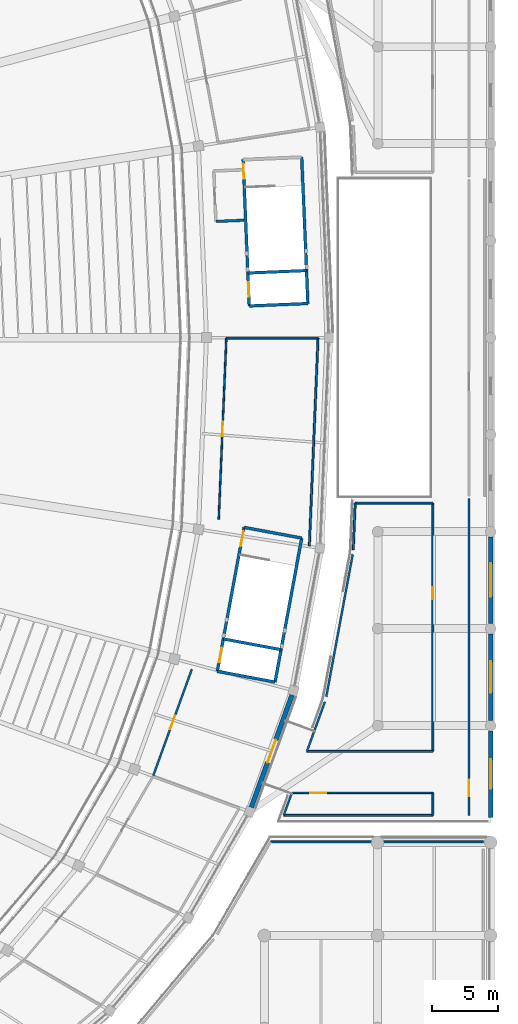
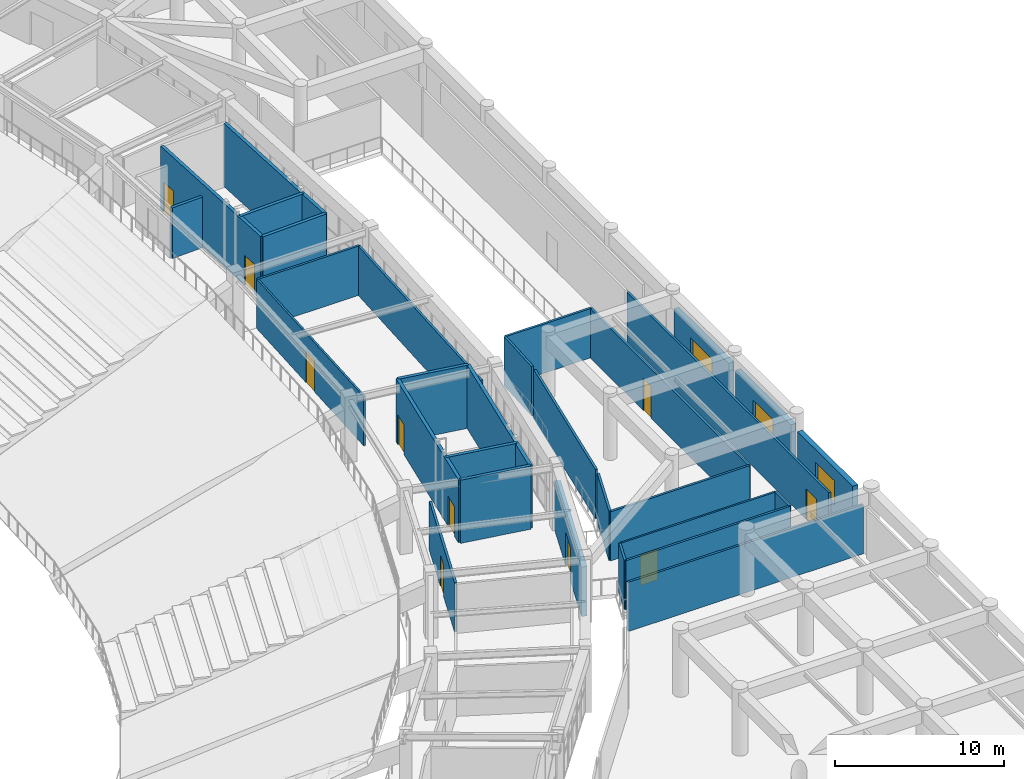
# One storey, part 99 of 137: 30 walls, 10 doors, 3 windows, 13 openings.
"""IFC4 building model written with IfcOpenShell, lengths in metres."""

import ifcopenshell
import ifcopenshell.guid

model = None  # the IFC model being written
_history = None  # IfcOwnerHistory: only IFC2X3 demands one
_inside = {}  # id of a spatial element -> (the spatial element, [elements in it])
_under = {}  # id of a project, library or spatial element -> (it, [spatial elements below it])
_declared = {}  # id of a project -> (the project, [libraries it declares])
_typed = {}  # id of a type object -> (the type object, [elements of that type])
_made_of = {}  # id of a material, layer set ... -> (it, [elements and type objects made of it])


def new_model(schema):
    """Start an empty IFC model of exactly this schema.

    Asked for "IFC4X3", IfcOpenShell would pick the latest addendum, in which some entities
    have other attributes; the version numbers below select the first issue.
    IFC2X3 requires an IfcOwnerHistory on every rooted entity: one is made here for all.
    """
    global model, _history
    if schema == "IFC4X3":
        model = ifcopenshell.file(schema_version=(4, 3, 0, 0))
    else:
        model = ifcopenshell.file(schema=schema)
    _inside.clear()
    _under.clear()
    _declared.clear()
    _typed.clear()
    _made_of.clear()
    _history = None
    if model.schema == "IFC2X3":
        org = make("IfcOrganization", Name="unknown")
        user = make(
            "IfcPersonAndOrganization",
            ThePerson=make("IfcPerson", FamilyName="unknown"),
            TheOrganization=org,
        )
        app = make(
            "IfcApplication",
            ApplicationDeveloper=org,
            Version="unknown",
            ApplicationFullName="unknown",
            ApplicationIdentifier="unknown",
        )
        _history = make(
            "IfcOwnerHistory",
            OwningUser=user,
            OwningApplication=app,
            ChangeAction="ADDED",
            CreationDate=0,
        )
    return model


def make(cls, **values):
    """One entity of the class cls with the attributes given. An attribute that is None is left unset."""
    return model.create_entity(
        cls, **{name: value for name, value in values.items() if value is not None}
    )


def rooted(cls, **values):
    """An entity with a GlobalId (a new one), such as an element, a storey or a relation."""
    return make(cls, GlobalId=ifcopenshell.guid.new(), OwnerHistory=_history, **values)


def si_unit(unit_type, name, prefix=None):
    """IfcSIUnit, for example si_unit("LENGTHUNIT", "METRE", prefix="MILLI")."""
    return make("IfcSIUnit", UnitType=unit_type, Prefix=prefix, Name=name)


def assignment(units):
    """IfcUnitAssignment: the units of a project."""
    return None if units is None else make("IfcUnitAssignment", Units=units)


def point(xyz):
    """IfcCartesianPoint."""
    return None if xyz is None else make("IfcCartesianPoint", Coordinates=xyz)


def direction(xyz):
    """IfcDirection."""
    return None if xyz is None else make("IfcDirection", DirectionRatios=xyz)


def frame(location, z_axis=None, x_axis=None):
    """IfcAxis2Placement3D, a coordinate frame: its origin and axes. An axis left out is left unset."""
    return make(
        "IfcAxis2Placement3D",
        Location=point(location),
        Axis=direction(z_axis),
        RefDirection=direction(x_axis),
    )


def frame_2d(location, x_axis=None):
    """IfcAxis2Placement2D, a coordinate frame in the plane: its origin and x axis."""
    return make(
        "IfcAxis2Placement2D", Location=point(location), RefDirection=direction(x_axis)
    )


def origin():
    """The frame at (0, 0, 0) with its axes left unset."""
    return frame((0.0, 0.0, 0.0))


def place(relative_to, where):
    """IfcLocalPlacement: puts the frame where relative to a parent placement (None: the world)."""
    return make(
        "IfcLocalPlacement", PlacementRelTo=relative_to, RelativePlacement=where
    )


def context(
    kind, dimensions, precision=None, world=None, true_north=None, identifier=None
):
    """IfcGeometricRepresentationContext, for example the 3D "Model" context."""
    return make(
        "IfcGeometricRepresentationContext",
        ContextIdentifier=identifier,
        ContextType=kind,
        CoordinateSpaceDimension=dimensions,
        Precision=precision,
        WorldCoordinateSystem=world,
        TrueNorth=true_north,
    )


def subcontext(parent, identifier, kind, view, scale=None):
    """IfcGeometricRepresentationSubContext, for example "Body" below "Model"."""
    return make(
        "IfcGeometricRepresentationSubContext",
        ContextIdentifier=identifier,
        ContextType=kind,
        ParentContext=parent,
        TargetScale=scale,
        TargetView=view,
    )


def project(units=None, contexts=None):
    """IfcProject with its units and contexts."""
    return rooted(
        "IfcProject",
        Name="project",
        RepresentationContexts=contexts,
        UnitsInContext=assignment(units),
    )


def spatial(cls, under=None, at=None, **own):
    """A site, building, storey or space (cls), placed at a placement, below another one or the project."""
    s = rooted(cls, ObjectPlacement=at, **own)
    if under is not None:
        _under.setdefault(under.id(), (under, []))[1].append(s)
    return s


def profile(cls, at=None, kind="AREA", **sizes):
    """A parametric profile (cls). Its sizes go by their IFC names, for example OverallWidth=200.0."""
    return make(cls, ProfileType=kind, Position=at, **sizes)


def rectangle(**sizes):
    """IfcRectangleProfileDef."""
    return profile("IfcRectangleProfileDef", **sizes)


def extrude(swept, where, along, depth):
    """IfcExtrudedAreaSolid: the profile swept, set in the frame where, extruded along a direction by depth."""
    return make(
        "IfcExtrudedAreaSolid",
        SweptArea=swept,
        Position=where,
        ExtrudedDirection=direction(along),
        Depth=depth,
    )


def shape(context_of_items, identifier, shape_type, items):
    """IfcShapeRepresentation: the items that make up one representation, for example the "Body"."""
    return make(
        "IfcShapeRepresentation",
        ContextOfItems=context_of_items,
        RepresentationIdentifier=identifier,
        RepresentationType=shape_type,
        Items=items,
    )


def material(Name=None, Category=None):
    """IfcMaterial."""
    return make("IfcMaterial", Name=Name, Category=Category)


def layer(
    of_material, thickness, ventilated=None, Name=None, Category=None, Priority=None
):
    """IfcMaterialLayer: one layer of a wall or slab, of a material (None: an air gap)."""
    return make(
        "IfcMaterialLayer",
        Material=of_material,
        LayerThickness=thickness,
        IsVentilated=ventilated,
        Name=Name,
        Category=Category,
        Priority=Priority,
    )


def layer_set(layers, Name=None):
    """IfcMaterialLayerSet."""
    return make("IfcMaterialLayerSet", MaterialLayers=layers, LayerSetName=Name)


def made_of(thing, what):
    """Note that an element or type object is made of a material, layer set ...; save() writes the relation."""
    if what is not None:
        _made_of.setdefault(what.id(), (what, []))[1].append(thing)
    return thing


def type_object(cls, material=None, **own):
    """A type object (cls), such as IfcWallType, which elements share."""
    return made_of(rooted(cls, **own), material)


def element(
    cls,
    number,
    at=None,
    inside=None,
    cuts=None,
    type_object=None,
    material=None,
    context=None,
    identifier="Body",
    shape_type=None,
    held_by="IfcProductDefinitionShape",
    body=None,
    shapes=None,
    **own,
):
    """One element of the class cls, such as IfcWall. Its Tag is "e" and its number.

    at: its placement. inside: the storey or other place that contains it. cuts: it is an
    opening in that element (IfcRelVoidsElement). A single representation is given by context,
    identifier, shape_type and body (its items); several are given by shapes. held_by: the class
    of the entity that holds the representations. save() writes the other relations.
    """
    e = rooted(cls, Tag="e%d" % number, ObjectPlacement=at, **own)
    if body is not None:
        shapes = [shape(context, identifier, shape_type, body)]
    if shapes is not None:
        e.Representation = make(held_by, Representations=shapes)
    if inside is not None:
        _inside.setdefault(inside.id(), (inside, []))[1].append(e)
    if cuts is not None:
        rooted(
            "IfcRelVoidsElement", RelatingBuildingElement=cuts, RelatedOpeningElement=e
        )
    if type_object is not None:
        _typed.setdefault(type_object.id(), (type_object, []))[1].append(e)
    return made_of(e, material)


def fill(opening, filler):
    """IfcRelFillsElement: the door or window that sits in an opening."""
    return rooted(
        "IfcRelFillsElement",
        RelatingOpeningElement=opening,
        RelatedBuildingElement=filler,
    )


def aggregate(whole, parts):
    """IfcRelAggregates: a whole, such as a stair, and the parts it consists of."""
    return rooted("IfcRelAggregates", RelatingObject=whole, RelatedObjects=parts)


def save(model, path):
    """Write the relations noted so far, then the file.

    IfcRelAggregates (storeys below a building ...), IfcRelContainedInSpatialStructure (elements
    in a storey), IfcRelDefinesByType, IfcRelAssociatesMaterial and IfcRelDeclares: one each for
    every whole, place, type object, material and project.
    """
    for whole, parts in _under.values():
        aggregate(whole, parts)
    for where, things in _inside.values():
        rooted(
            "IfcRelContainedInSpatialStructure",
            RelatedElements=things,
            RelatingStructure=where,
        )
    for kind, things in _typed.values():
        rooted("IfcRelDefinesByType", RelatedObjects=things, RelatingType=kind)
    for what, things in _made_of.values():
        rooted("IfcRelAssociatesMaterial", RelatedObjects=things, RelatingMaterial=what)
    for by, libraries in _declared.values():
        rooted("IfcRelDeclares", RelatingContext=by, RelatedDefinitions=libraries)
    model.write(path)


model = new_model("IFC4")

# Units and contexts
model_context = context("Model", 3, precision=1e-05, world=origin(), true_north=direction((0.0, 1.0)))
body_context = subcontext(model_context, "Body", "Model", "MODEL_VIEW")
ifc_project = project(units=[si_unit("LENGTHUNIT", "METRE"), si_unit("AREAUNIT", "SQUARE_METRE"), si_unit("VOLUMEUNIT", "CUBIC_METRE"), si_unit("PLANEANGLEUNIT", "RADIAN"), si_unit("MASSUNIT", "GRAM", prefix="KILO")], contexts=[model_context])

# Site, building, storey
site_placement = place(None, origin())
site = spatial("IfcSite", under=ifc_project, at=site_placement, CompositionType="ELEMENT")
building_placement = place(site_placement, origin())
building = spatial("IfcBuilding", under=site, at=building_placement, Name="Mphavela Belvedere Stadium", CompositionType="ELEMENT")
storey_placement = place(building_placement, frame((0.0, 0.0, 19.199951171875)))
storey = spatial("IfcBuildingStorey", under=building, at=storey_placement, Name="L04", CompositionType="ELEMENT", Elevation=19.199951171875)

# Walls
ifc_material_1 = material(Name="Concrete C40/50", Category="concrete")
ifc_layer_1 = layer(ifc_material_1, 0.219970703125)
ifc_layer_set_1 = layer_set([ifc_layer_1], Name="Concrete C40/50")
wall_type_1 = type_object("IfcWallType", Name="WAL-CORE-SHEAR-220", PredefinedType="SHEAR", material=ifc_layer_set_1)
wall_1_placement = place(storey_placement, frame((215.771728515625, 100.585205078125, 0.0), z_axis=(0.0, 0.0, 1.0), x_axis=(0.041871977473, -0.999122984173, 0.0)))
element("IfcWall", 1, at=wall_1_placement, inside=storey, type_object=wall_type_1, Name="Core C01 shear wall L04 rear", PredefinedType="SHEAR", context=body_context, shape_type="SweptSolid", body=[
    extrude(rectangle(XDim=11.02001953125, YDim=0.219970703125, at=frame_2d((5.510009765625, 0.0))), origin(), (0.0, 0.0, 1.0), 4.550048828125),
])
wall_2_placement = place(storey_placement, frame((211.826904296875, 89.39013671875, 0.0), z_axis=(0.0, 0.0, 1.0), x_axis=(0.999121521721, 0.041906859039, 0.0)))
element("IfcWall", 2, at=wall_2_placement, inside=storey, type_object=wall_type_1, Name="Core C01 shear wall L04 right", PredefinedType="SHEAR", context=body_context, shape_type="SweptSolid", body=[
    extrude(rectangle(XDim=4.41015625, YDim=0.219970703125, at=frame_2d((2.205078125, 0.0))), origin(), (0.0, 0.0, 1.0), 4.550048828125),
])

# Wall, openings, doors
wall_3_placement = place(storey_placement, frame((211.365478515625, 100.400390625, 0.0), z_axis=(0.0, 0.0, 1.0), x_axis=(0.041871977473, -0.999122984173, 0.0)))
wall_3 = element("IfcWall", 3, at=wall_3_placement, inside=storey, type_object=wall_type_1, Name="Core C01 shear wall L04 front", PredefinedType="SHEAR", context=body_context, shape_type="SweptSolid", body=[
    extrude(rectangle(XDim=11.02001953125, YDim=0.219970703125, at=frame_2d((5.510009765625, 0.0))), origin(), (0.0, 0.0, 1.0), 4.550048828125),
])
opening_1_placement = place(wall_3_placement, frame((0.300048828125, 0.0, 0.0)))
opening_1 = element("IfcOpeningElement", 4, at=opening_1_placement, cuts=wall_3, Name="Opening SD-005", PredefinedType="OPENING", context=body_context, shape_type="SweptSolid", body=[
    extrude(rectangle(XDim=1.14990234375, YDim=2.14990234375, at=frame_2d((0.574951171875, 1.074951171875))), frame((0.0, 0.1201171875, 0.0), z_axis=(0.0, -1.0, 0.0), x_axis=(1.0, 0.0, 0.0)), (0.0, 0.0, 1.0), 0.239990234375),
])
opening_2_placement = place(wall_3_placement, frame((9.22998046875, 0.0, 0.0)))
opening_2 = element("IfcOpeningElement", 5, at=opening_2_placement, cuts=wall_3, Name="Opening LD-005", PredefinedType="OPENING", context=body_context, shape_type="SweptSolid", body=[
    extrude(rectangle(XDim=1.10009765625, YDim=2.14990234375, at=frame_2d((0.550048828125, 1.074951171875))), frame((0.0, 0.1201171875, 0.0), z_axis=(0.0, -1.0, 0.0), x_axis=(1.0, 0.0, 0.0)), (0.0, 0.0, 1.0), 0.239990234375),
])
ifc_material_2 = material(Name="Stainless steel center-parting lift landing door", Category="steel")
door_type_1 = type_object("IfcDoorType", Name="DR-LIFT-SLIDE-1100", OperationType="NOTDEFINED", PredefinedType="DOOR", material=ifc_material_2)
door_1_placement = place(opening_2_placement, origin())
door_1 = element("IfcDoor", 6, at=door_1_placement, inside=storey, type_object=door_type_1, Name="Lift landing sliding door FL01 L04", OperationType="DOUBLE_DOOR_SLIDING", OverallHeight=2.14990234375, OverallWidth=1.10009765625, PredefinedType="DOOR", context=body_context, shape_type="SweptSolid", body=[
    extrude(rectangle(XDim=1.10009765625, YDim=2.14990234375, at=frame_2d((0.550048828125, 1.074951171875))), frame((0.0, 0.02490234375, 0.0), z_axis=(0.0, -1.0, 0.0), x_axis=(1.0, 0.0, 0.0)), (0.0, 0.0, 1.0), 0.050048828125),
])
fill(opening_2, door_1)
ifc_material_3 = material(Name="Steel acoustic fire-resisting stair doorset", Category="steel")
door_type_2 = type_object("IfcDoorType", Name="DR-STAIR-FIRE-1150", OperationType="NOTDEFINED", PredefinedType="DOOR", material=ifc_material_3)
door_2_placement = place(opening_1_placement, origin())
door_2 = element("IfcDoor", 7, at=door_2_placement, inside=storey, type_object=door_type_2, Name="Escape stair fire door C01 L04", OperationType="SINGLE_SWING_LEFT", OverallHeight=2.14990234375, OverallWidth=1.14990234375, PredefinedType="DOOR", context=body_context, shape_type="SweptSolid", body=[
    extrude(rectangle(XDim=1.14990234375, YDim=2.14990234375, at=frame_2d((0.574951171875, 1.074951171875))), frame((0.0, 0.02490234375, 0.0), z_axis=(0.0, -1.0, 0.0), x_axis=(1.0, 0.0, 0.0)), (0.0, 0.0, 1.0), 0.050048828125),
])
fill(opening_1, door_2)

# Walls
wall_4_placement = place(storey_placement, frame((211.72314453125, 91.867919921875, 0.0), z_axis=(0.0, 0.0, 1.0), x_axis=(0.999121521721, 0.041906859039, 0.0)))
element("IfcWall", 8, at=wall_4_placement, inside=storey, type_object=wall_type_1, Name="Core C01 shear wall L04 div", PredefinedType="SHEAR", context=body_context, shape_type="SweptSolid", body=[
    extrude(rectangle(XDim=4.41015625, YDim=0.219970703125, at=frame_2d((2.205078125, 0.0))), origin(), (0.0, 0.0, 1.0), 4.550048828125),
])
wall_5_placement = place(storey_placement, frame((215.771728515625, 71.914794921875, 0.0), z_axis=(0.0, 0.0, 1.0), x_axis=(-0.182574755222, -0.983191974517, 0.0)))
element("IfcWall", 9, at=wall_5_placement, inside=storey, type_object=wall_type_1, Name="Core C12 shear wall L04 rear", PredefinedType="SHEAR", context=body_context, shape_type="SweptSolid", body=[
    extrude(rectangle(XDim=11.02001953125, YDim=0.219970703125, at=frame_2d((5.510009765625, 0.0))), origin(), (0.0, 0.0, 1.0), 4.550048828125),
])
for number, where, z_axis, x_axis, name in (
    (10, (211.43603515625, 72.72021484375, 0.0), (0.0, 0.0, 1.0), (0.983179789985, -0.182640358532, 0.0), "Core C12 shear wall L04 left"),
    (11, (209.424072265625, 61.88525390625, 0.0), (0.0, 0.0, 1.0), (0.983189729951, -0.18258684213, 0.0), "Core C12 shear wall L04 right"),
):
    element("IfcWall", number, at=place(storey_placement, frame(where, z_axis=z_axis, x_axis=x_axis)), inside=storey, type_object=wall_type_1, Name=name, PredefinedType="SHEAR", context=body_context, shape_type="SweptSolid", body=[
        extrude(rectangle(XDim=4.409912109375, YDim=0.219970703125, at=frame_2d((2.205078125, 0.0))), origin(), (0.0, 0.0, 1.0), 4.550048828125),
    ])

# Wall, openings, doors
wall_6_placement = place(storey_placement, frame((211.43603515625, 72.72021484375, 0.0), z_axis=(0.0, 0.0, 1.0), x_axis=(-0.182570778451, -0.983192712979, 0.0)))
wall_6 = element("IfcWall", 12, at=wall_6_placement, inside=storey, type_object=wall_type_1, Name="Core C12 shear wall L04 front", PredefinedType="SHEAR", context=body_context, shape_type="SweptSolid", body=[
    extrude(rectangle(XDim=11.020263671875, YDim=0.219970703125, at=frame_2d((5.51025390625, 0.0))), origin(), (0.0, 0.0, 1.0), 4.550048828125),
])
opening_3_placement = place(wall_6_placement, frame((0.300048828125, 0.0, 0.0)))
opening_3 = element("IfcOpeningElement", 13, at=opening_3_placement, cuts=wall_6, Name="Opening SD-066", PredefinedType="OPENING", context=body_context, shape_type="SweptSolid", body=[
    extrude(rectangle(XDim=1.14990234375, YDim=2.14990234375, at=frame_2d((0.574951171875, 1.074951171875))), frame((0.0, 0.1201171875, 0.0), z_axis=(0.0, -1.0, 0.0), x_axis=(1.0, 0.0, 0.0)), (0.0, 0.0, 1.0), 0.239990234375),
])
opening_4_placement = place(wall_6_placement, frame((9.22998046875, 0.0, 0.0)))
opening_4 = element("IfcOpeningElement", 14, at=opening_4_placement, cuts=wall_6, Name="Opening LD-066", PredefinedType="OPENING", context=body_context, shape_type="SweptSolid", body=[
    extrude(rectangle(XDim=1.10009765625, YDim=2.14990234375, at=frame_2d((0.550048828125, 1.074951171875))), frame((0.0, 0.1201171875, 0.0), z_axis=(0.0, -1.0, 0.0), x_axis=(1.0, 0.0, 0.0)), (0.0, 0.0, 1.0), 0.239990234375),
])
door_3_placement = place(opening_4_placement, origin())
door_3 = element("IfcDoor", 15, at=door_3_placement, inside=storey, type_object=door_type_1, Name="Lift landing sliding door PL06 L04", OperationType="DOUBLE_DOOR_SLIDING", OverallHeight=2.14990234375, OverallWidth=1.10009765625, PredefinedType="DOOR", context=body_context, shape_type="SweptSolid", body=[
    extrude(rectangle(XDim=1.10009765625, YDim=2.14990234375, at=frame_2d((0.550048828125, 1.074951171875))), frame((0.0, 0.02490234375, 0.0), z_axis=(0.0, -1.0, 0.0), x_axis=(1.0, 0.0, 0.0)), (0.0, 0.0, 1.0), 0.050048828125),
])
fill(opening_4, door_3)
door_4_placement = place(opening_3_placement, origin())
door_4 = element("IfcDoor", 16, at=door_4_placement, inside=storey, type_object=door_type_2, Name="Escape stair fire door C12 L04", OperationType="SINGLE_SWING_RIGHT", OverallHeight=2.14990234375, OverallWidth=1.14990234375, PredefinedType="DOOR", context=body_context, shape_type="SweptSolid", body=[
    extrude(rectangle(XDim=1.14990234375, YDim=2.14990234375, at=frame_2d((0.574951171875, 1.074951171875))), frame((0.0, 0.02490234375, 0.0), z_axis=(0.0, -1.0, 0.0), x_axis=(1.0, 0.0, 0.0)), (0.0, 0.0, 1.0), 0.050048828125),
])
fill(opening_3, door_4)

# Wall
wall_7_placement = place(storey_placement, frame((209.876708984375, 64.323486328125, 0.0), z_axis=(0.0, 0.0, 1.0), x_axis=(0.983201511677, -0.182523388739, 0.0)))
element("IfcWall", 17, at=wall_7_placement, inside=storey, type_object=wall_type_1, Name="Core C12 shear wall L04 div", PredefinedType="SHEAR", context=body_context, shape_type="SweptSolid", body=[
    extrude(rectangle(XDim=4.409912109375, YDim=0.219970703125, at=frame_2d((2.205078125, 0.0))), origin(), (0.0, 0.0, 1.0), 4.550048828125),
])

# Wall, opening, door
ifc_material_4 = material(Name="Honed ashlar limestone masonry", Category="masonry")
ifc_layer_2 = layer(ifc_material_4, 0.35009765625)
ifc_layer_set_2 = layer_set([ifc_layer_2], Name="Honed ashlar limestone masonry")
wall_type_2 = type_object("IfcWallType", Name="WAL-EXT-ASHLAR-350", PredefinedType="STANDARD", material=ifc_layer_set_2)
wall_8_placement = place(storey_placement, frame((215.0458984375, 60.1103515625, 0.0), z_axis=(0.0, 0.0, 1.0), x_axis=(-0.341022457694, -0.9400551491, 0.0)))
wall_8 = element("IfcWall", 18, at=wall_8_placement, inside=storey, type_object=wall_type_2, Name="Classical link portal wall L04-46", PredefinedType="STANDARD", context=body_context, shape_type="SweptSolid", body=[
    extrude(rectangle(XDim=9.00537109375, YDim=0.35009765625, at=frame_2d((4.502685546875, 0.0))), origin(), (0.0, 0.0, 1.0), 3.570068359375),
])
opening_5_placement = place(wall_8_placement, frame((3.602783203125, 0.0, 0.0)))
opening_5 = element("IfcOpeningElement", 19, at=opening_5_placement, cuts=wall_8, Name="Opening ID-9445", PredefinedType="OPENING", context=body_context, shape_type="SweptSolid", body=[
    extrude(rectangle(XDim=1.800048828125, YDim=2.39990234375, at=frame_2d((0.89990234375, 1.199951171875))), frame((0.0, 0.18505859375, 0.0), z_axis=(0.0, -1.0, 0.0), x_axis=(1.0, 0.0, 0.0)), (0.0, 0.0, 1.0), 0.3701171875),
])
ifc_material_5 = material(Name="Glazed bronze-anodised steel exit doorset", Category="steel")
door_type_3 = type_object("IfcDoorType", Name="DR-EXT-01", OperationType="NOTDEFINED", PredefinedType="DOOR", material=ifc_material_5)
door_5_placement = place(opening_5_placement, origin())
door_5 = element("IfcDoor", 20, at=door_5_placement, inside=storey, type_object=door_type_3, Name="Wing promenade link doorset L04-46", OperationType="DOUBLE_DOOR_SINGLE_SWING", OverallHeight=2.39990234375, OverallWidth=1.800048828125, PredefinedType="DOOR", context=body_context, shape_type="SweptSolid", body=[
    extrude(rectangle(XDim=1.800048828125, YDim=2.39990234375, at=frame_2d((0.89990234375, 1.199951171875))), frame((0.0, 0.02490234375, 0.0), z_axis=(0.0, -1.0, 0.0), x_axis=(1.0, 0.0, 0.0)), (0.0, 0.0, 1.0), 0.050048828125),
])
fill(opening_5, door_5)

# Wall, opening, window
wall_9_placement = place(storey_placement, frame((230.0, 57.402099609375, 0.0), z_axis=(0.0, 0.0, 1.0), x_axis=(0.0, -1.0, 0.0)))
wall_9 = element("IfcWall", 21, at=wall_9_placement, inside=storey, type_object=wall_type_2, Name="East Planted Eaves Peristyle Colonnade outer facade bay L04-01", PredefinedType="STANDARD", context=body_context, shape_type="SweptSolid", body=[
    extrude(rectangle(XDim=6.504150390625, YDim=0.35009765625, at=frame_2d((3.251953125, 0.0))), origin(), (0.0, 0.0, 1.0), 3.56005859375),
])
opening_6_placement = place(wall_9_placement, frame((2.14208984375, 0.0, 0.89990234375)))
opening_6 = element("IfcOpeningElement", 22, at=opening_6_placement, cuts=wall_9, Name="Opening W-328", PredefinedType="OPENING", context=body_context, shape_type="SweptSolid", body=[
    extrude(rectangle(XDim=2.219970703125, YDim=1.75, at=frame_2d((1.10986328125, 0.875))), frame((0.0, 0.18505859375, 0.0), z_axis=(0.0, -1.0, 0.0), x_axis=(1.0, 0.0, 0.0)), (0.0, 0.0, 1.0), 0.3701171875),
])
ifc_material_6 = material(Name="Bronze-anodised thermally broken aluminium window", Category="aluminium")
window_type_1 = type_object("IfcWindowType", Name="WIN-EXT-20", PartitioningType="SINGLE_PANEL", PredefinedType="WINDOW", material=ifc_material_6)
window_1_placement = place(opening_6_placement, origin())
window_1 = element("IfcWindow", 23, at=window_1_placement, inside=storey, type_object=window_type_1, Name="East Planted Eaves Peristyle Colonnade classical window W-328", OverallHeight=1.75, OverallWidth=2.219970703125, PartitioningType="SINGLE_PANEL", PredefinedType="WINDOW", context=body_context, shape_type="SweptSolid", body=[
    extrude(rectangle(XDim=2.219970703125, YDim=1.75, at=frame_2d((1.10986328125, 0.875))), frame((0.0, 0.030029296875, 0.0), z_axis=(0.0, -1.0, 0.0), x_axis=(1.0, 0.0, 0.0)), (0.0, 0.0, 1.0), 0.06005859375),
])
fill(opening_6, window_1)

wall_10_placement = place(storey_placement, frame((230.0, 64.701904296875, 0.0), z_axis=(0.0, 0.0, 1.0), x_axis=(0.0, -1.0, 0.0)))
wall_10 = element("IfcWall", 24, at=wall_10_placement, inside=storey, type_object=wall_type_2, Name="East Planted Eaves Peristyle Colonnade outer facade bay L04-02", PredefinedType="STANDARD", context=body_context, shape_type="SweptSolid", body=[
    extrude(rectangle(XDim=6.50390625, YDim=0.35009765625, at=frame_2d((3.251953125, 0.0))), origin(), (0.0, 0.0, 1.0), 3.56005859375),
])
opening_7_placement = place(wall_10_placement, frame((2.072021484375, 0.0, 0.89990234375)))
opening_7 = element("IfcOpeningElement", 25, at=opening_7_placement, cuts=wall_10, Name="Opening W-329", PredefinedType="OPENING", context=body_context, shape_type="SweptSolid", body=[
    extrude(rectangle(XDim=2.360107421875, YDim=1.75, at=frame_2d((1.18017578125, 0.875))), frame((0.0, 0.18505859375, 0.0), z_axis=(0.0, -1.0, 0.0), x_axis=(1.0, 0.0, 0.0)), (0.0, 0.0, 1.0), 0.3701171875),
])
ifc_material_7 = material(Name="Bronze-anodised thermally broken aluminium window", Category="aluminium")
window_type_2 = type_object("IfcWindowType", Name="WIN-EXT-21", PartitioningType="SINGLE_PANEL", PredefinedType="WINDOW", material=ifc_material_7)
window_2_placement = place(opening_7_placement, origin())
window_2 = element("IfcWindow", 26, at=window_2_placement, inside=storey, type_object=window_type_2, Name="East Planted Eaves Peristyle Colonnade classical window W-329", OverallHeight=1.75, OverallWidth=2.360107421875, PartitioningType="SINGLE_PANEL", PredefinedType="WINDOW", context=body_context, shape_type="SweptSolid", body=[
    extrude(rectangle(XDim=2.360107421875, YDim=1.75, at=frame_2d((1.18017578125, 0.875))), frame((0.0, 0.030029296875, 0.0), z_axis=(0.0, -1.0, 0.0), x_axis=(1.0, 0.0, 0.0)), (0.0, 0.0, 1.0), 0.06005859375),
])
fill(opening_7, window_2)

wall_11_placement = place(storey_placement, frame((230.0, 72.001953125, 0.0), z_axis=(0.0, 0.0, 1.0), x_axis=(0.0, -1.0, 0.0)))
wall_11 = element("IfcWall", 27, at=wall_11_placement, inside=storey, type_object=wall_type_2, Name="East Planted Eaves Peristyle Colonnade outer facade bay L04-03", PredefinedType="STANDARD", context=body_context, shape_type="SweptSolid", body=[
    extrude(rectangle(XDim=6.50390625, YDim=0.35009765625, at=frame_2d((3.251953125, 0.0))), origin(), (0.0, 0.0, 1.0), 3.56005859375),
])
opening_8_placement = place(wall_11_placement, frame((1.991943359375, 0.0, 0.89990234375)))
opening_8 = element("IfcOpeningElement", 28, at=opening_8_placement, cuts=wall_11, Name="Opening W-330", PredefinedType="OPENING", context=body_context, shape_type="SweptSolid", body=[
    extrude(rectangle(XDim=2.52001953125, YDim=1.75, at=frame_2d((1.260009765625, 0.875))), frame((0.0, 0.18505859375, 0.0), z_axis=(0.0, -1.0, 0.0), x_axis=(1.0, 0.0, 0.0)), (0.0, 0.0, 1.0), 0.3701171875),
])
ifc_material_8 = material(Name="Bronze-anodised thermally broken aluminium window", Category="aluminium")
window_type_3 = type_object("IfcWindowType", Name="WIN-EXT-22", PartitioningType="SINGLE_PANEL", PredefinedType="WINDOW", material=ifc_material_8)
window_3_placement = place(opening_8_placement, origin())
window_3 = element("IfcWindow", 29, at=window_3_placement, inside=storey, type_object=window_type_3, Name="East Planted Eaves Peristyle Colonnade classical window W-330", OverallHeight=1.75, OverallWidth=2.52001953125, PartitioningType="SINGLE_PANEL", PredefinedType="WINDOW", context=body_context, shape_type="SweptSolid", body=[
    extrude(rectangle(XDim=2.52001953125, YDim=1.75, at=frame_2d((1.260009765625, 0.875))), frame((0.0, 0.030029296875, 0.0), z_axis=(0.0, -1.0, 0.0), x_axis=(1.0, 0.0, 0.0)), (0.0, 0.0, 1.0), 0.06005859375),
])
fill(opening_8, window_3)

# Wall, opening, door
ifc_material_9 = material(Name="Moisture-resistant sanitary partition assembly")
ifc_layer_3 = layer(ifc_material_9, 0.125)
ifc_layer_set_3 = layer_set([ifc_layer_3], Name="Moisture-resistant sanitary partition assembly")
wall_type_3 = type_object("IfcWallType", Name="WAL-PART-125", PredefinedType="PARTITIONING", material=ifc_layer_set_3)
wall_12_placement = place(storey_placement, frame((209.526123046875, 73.31884765625, 0.0), z_axis=(0.0, 0.0, 1.0), x_axis=(0.041914666558, 0.999121194214, 0.0)))
wall_12 = element("IfcWall", 30, at=wall_12_placement, inside=storey, type_object=wall_type_3, Name="Room L04-101 corridor partition", PredefinedType="PARTITIONING", context=body_context, shape_type="SweptSolid", body=[
    extrude(rectangle(XDim=13.653076171875, YDim=0.125, at=frame_2d((6.82666015625, 0.0))), origin(), (0.0, 0.0, 1.0), 3.550048828125),
])
opening_9_placement = place(wall_12_placement, frame((6.276611328125, 0.0, 0.0)))
opening_9 = element("IfcOpeningElement", 31, at=opening_9_placement, cuts=wall_12, Name="Opening ID-354", PredefinedType="OPENING", context=body_context, shape_type="SweptSolid", body=[
    extrude(rectangle(XDim=1.10009765625, YDim=2.300048828125, at=frame_2d((0.550048828125, 1.14990234375))), frame((0.0, 0.072509765625, 0.0), z_axis=(0.0, -1.0, 0.0), x_axis=(1.0, 0.0, 0.0)), (0.0, 0.0, 1.0), 0.14501953125),
])
ifc_material_10 = material(Name="Hardwood acoustic timber doorset", Category="wood")
door_type_4 = type_object("IfcDoorType", Name="DR-INT-30", OperationType="NOTDEFINED", PredefinedType="DOOR", material=ifc_material_10)
door_6_placement = place(opening_9_placement, origin())
door_6 = element("IfcDoor", 32, at=door_6_placement, inside=storey, type_object=door_type_4, Name="Room L04-101 entrance door ID-354", OperationType="SINGLE_SWING_RIGHT", OverallHeight=2.300048828125, OverallWidth=1.10009765625, PredefinedType="DOOR", context=body_context, shape_type="SweptSolid", body=[
    extrude(rectangle(XDim=1.10009765625, YDim=2.300048828125, at=frame_2d((0.550048828125, 1.14990234375))), frame((0.0, 0.02490234375, 0.0), z_axis=(0.0, -1.0, 0.0), x_axis=(1.0, 0.0, 0.0)), (0.0, 0.0, 1.0), 0.050048828125),
])
fill(opening_9, door_6)

wall_13_placement = place(storey_placement, frame((215.031494140625, 52.739990234375, 0.0), z_axis=(0.0, 0.0, 1.0), x_axis=(1.0, 0.0, 0.0)))
wall_13 = element("IfcWall", 33, at=wall_13_placement, inside=storey, type_object=wall_type_3, Name="Room L04-138 corridor partition", PredefinedType="PARTITIONING", context=body_context, shape_type="SweptSolid", body=[
    extrude(rectangle(XDim=10.6083984375, YDim=0.125, at=frame_2d((5.30419921875, 0.0))), origin(), (0.0, 0.0, 1.0), 3.550048828125),
])
opening_10_placement = place(wall_13_placement, frame((1.369873046875, 0.0, 0.0)))
opening_10 = element("IfcOpeningElement", 34, at=opening_10_placement, cuts=wall_13, Name="Opening ID-561", PredefinedType="OPENING", context=body_context, shape_type="SweptSolid", body=[
    extrude(rectangle(XDim=1.219970703125, YDim=2.199951171875, at=frame_2d((0.60986328125, 1.10009765625))), frame((0.0, 0.072509765625, 0.0), z_axis=(0.0, -1.0, 0.0), x_axis=(1.0, 0.0, 0.0)), (0.0, 0.0, 1.0), 0.14501953125),
])
ifc_material_11 = material(Name="Hardwood acoustic timber doorset", Category="wood")
door_type_5 = type_object("IfcDoorType", Name="DR-INT-21", OperationType="NOTDEFINED", PredefinedType="DOOR", material=ifc_material_11)
door_7_placement = place(opening_10_placement, origin())
door_7 = element("IfcDoor", 35, at=door_7_placement, inside=storey, type_object=door_type_5, Name="Room L04-138 entrance door ID-561", OperationType="SINGLE_SWING_LEFT", OverallHeight=2.199951171875, OverallWidth=1.219970703125, PredefinedType="DOOR", context=body_context, shape_type="SweptSolid", body=[
    extrude(rectangle(XDim=1.219970703125, YDim=2.199951171875, at=frame_2d((0.60986328125, 1.10009765625))), frame((0.0, 0.02490234375, 0.0), z_axis=(0.0, -1.0, 0.0), x_axis=(1.0, 0.0, 0.0)), (0.0, 0.0, 1.0), 0.050048828125),
])
fill(opening_10, door_7)

ifc_material_12 = material(Name="Acoustic gypsum stud partition assembly")
ifc_layer_4 = layer(ifc_material_12, 0.14990234375)
ifc_layer_set_4 = layer_set([ifc_layer_4], Name="Acoustic gypsum stud partition assembly")
wall_type_4 = type_object("IfcWallType", Name="WAL-PART-150", PredefinedType="PARTITIONING", material=ifc_layer_set_4)
wall_14_placement = place(storey_placement, frame((204.597412109375, 54.034423828125, 0.0), z_axis=(0.0, 0.0, 1.0), x_axis=(0.341016360618, 0.940057360905, 0.0)))
wall_14 = element("IfcWall", 36, at=wall_14_placement, inside=storey, type_object=wall_type_4, Name="Room L04-98 corridor partition", PredefinedType="PARTITIONING", context=body_context, shape_type="SweptSolid", body=[
    extrude(rectangle(XDim=8.525146484375, YDim=0.14990234375, at=frame_2d((4.2626953125, 0.0))), origin(), (0.0, 0.0, 1.0), 3.550048828125),
])
opening_11_placement = place(wall_14_placement, frame((3.732421875, 0.0, 0.0)))
opening_11 = element("IfcOpeningElement", 37, at=opening_11_placement, cuts=wall_14, Name="Opening ID-353", PredefinedType="OPENING", context=body_context, shape_type="SweptSolid", body=[
    extrude(rectangle(XDim=1.06005859375, YDim=2.300048828125, at=frame_2d((0.530029296875, 1.14990234375))), frame((0.0, 0.0849609375, 0.0), z_axis=(0.0, -1.0, 0.0), x_axis=(1.0, 0.0, 0.0)), (0.0, 0.0, 1.0), 0.169921875),
])
ifc_material_13 = material(Name="Hardwood acoustic timber doorset", Category="wood")
door_type_6 = type_object("IfcDoorType", Name="DR-INT-29", OperationType="NOTDEFINED", PredefinedType="DOOR", material=ifc_material_13)
door_8_placement = place(opening_11_placement, origin())
door_8 = element("IfcDoor", 38, at=door_8_placement, inside=storey, type_object=door_type_6, Name="Room L04-98 entrance door ID-353", OperationType="SINGLE_SWING_LEFT", OverallHeight=2.300048828125, OverallWidth=1.06005859375, PredefinedType="DOOR", context=body_context, shape_type="SweptSolid", body=[
    extrude(rectangle(XDim=1.06005859375, YDim=2.300048828125, at=frame_2d((0.530029296875, 1.14990234375))), frame((0.0, 0.02490234375, 0.0), z_axis=(0.0, -1.0, 0.0), x_axis=(1.0, 0.0, 0.0)), (0.0, 0.0, 1.0), 0.050048828125),
])
fill(opening_11, door_8)

wall_15_placement = place(storey_placement, frame((228.360107421875, 51.050048828125, 0.0), z_axis=(0.0, 0.0, 1.0), x_axis=(0.0, 1.0, 0.0)))
wall_15 = element("IfcWall", 39, at=wall_15_placement, inside=storey, type_object=wall_type_4, Name="Room L04-139 corridor partition", PredefinedType="PARTITIONING", context=body_context, shape_type="SweptSolid", body=[
    extrude(rectangle(XDim=23.833251953125, YDim=0.14990234375, at=frame_2d((11.91650390625, 0.0))), origin(), (0.0, 0.0, 1.0), 3.550048828125),
])
opening_12_placement = place(wall_15_placement, frame((1.416748046875, 0.0, 0.0)))
opening_12 = element("IfcOpeningElement", 40, at=opening_12_placement, cuts=wall_15, Name="Opening ID-562", PredefinedType="OPENING", context=body_context, shape_type="SweptSolid", body=[
    extrude(rectangle(XDim=1.260009765625, YDim=2.199951171875, at=frame_2d((0.6298828125, 1.10009765625))), frame((0.0, 0.0849609375, 0.0), z_axis=(0.0, -1.0, 0.0), x_axis=(1.0, 0.0, 0.0)), (0.0, 0.0, 1.0), 0.169921875),
])
ifc_material_14 = material(Name="Hardwood acoustic timber doorset", Category="wood")
door_type_7 = type_object("IfcDoorType", Name="DR-INT-22", OperationType="NOTDEFINED", PredefinedType="DOOR", material=ifc_material_14)
door_9_placement = place(opening_12_placement, origin())
door_9 = element("IfcDoor", 41, at=door_9_placement, inside=storey, type_object=door_type_7, Name="Room L04-139 entrance door ID-562", OperationType="SINGLE_SWING_RIGHT", OverallHeight=2.199951171875, OverallWidth=1.260009765625, PredefinedType="DOOR", context=body_context, shape_type="SweptSolid", body=[
    extrude(rectangle(XDim=1.260009765625, YDim=2.199951171875, at=frame_2d((0.6298828125, 1.10009765625))), frame((0.0, 0.02490234375, 0.0), z_axis=(0.0, -1.0, 0.0), x_axis=(1.0, 0.0, 0.0)), (0.0, 0.0, 1.0), 0.050048828125),
])
fill(opening_12, door_9)

wall_16_placement = place(storey_placement, frame((225.639892578125, 74.550048828125, 0.0), z_axis=(0.0, 0.0, 1.0), x_axis=(0.0, -1.0, 0.0)))
wall_16 = element("IfcWall", 42, at=wall_16_placement, inside=storey, type_object=wall_type_4, Name="Room L04-142 corridor partition", PredefinedType="PARTITIONING", context=body_context, shape_type="SweptSolid", body=[
    extrude(rectangle(XDim=18.68994140625, YDim=0.14990234375, at=frame_2d((9.344970703125, 0.0))), origin(), (0.0, 0.0, 1.0), 3.550048828125),
])
opening_13_placement = place(wall_16_placement, frame((6.322509765625, 0.0, 0.0)))
opening_13 = element("IfcOpeningElement", 43, at=opening_13_placement, cuts=wall_16, Name="Opening ID-565", PredefinedType="OPENING", context=body_context, shape_type="SweptSolid", body=[
    extrude(rectangle(XDim=0.89990234375, YDim=2.300048828125, at=frame_2d((0.449951171875, 1.14990234375))), frame((0.0, 0.0849609375, 0.0), z_axis=(0.0, -1.0, 0.0), x_axis=(1.0, 0.0, 0.0)), (0.0, 0.0, 1.0), 0.169921875),
])
ifc_material_15 = material(Name="Hardwood acoustic timber doorset", Category="wood")
door_type_8 = type_object("IfcDoorType", Name="DR-INT-25", OperationType="NOTDEFINED", PredefinedType="DOOR", material=ifc_material_15)
door_10_placement = place(opening_13_placement, origin())
door_10 = element("IfcDoor", 44, at=door_10_placement, inside=storey, type_object=door_type_8, Name="Room L04-142 entrance door ID-565", OperationType="SINGLE_SWING_LEFT", OverallHeight=2.300048828125, OverallWidth=0.89990234375, PredefinedType="DOOR", context=body_context, shape_type="SweptSolid", body=[
    extrude(rectangle(XDim=0.89990234375, YDim=2.300048828125, at=frame_2d((0.449951171875, 1.14990234375))), frame((0.0, 0.02490234375, 0.0), z_axis=(0.0, -1.0, 0.0), x_axis=(1.0, 0.0, 0.0)), (0.0, 0.0, 1.0), 0.050048828125),
])
fill(opening_13, door_10)

# Walls
wall_17_placement = place(storey_placement, frame((217.002197265625, 86.9599609375, 0.0), z_axis=(0.0, 0.0, 1.0), x_axis=(-0.041910160588, -0.999121383236, 0.0)))
element("IfcWall", 45, at=wall_17_placement, inside=storey, type_object=wall_type_4, Name="Room divider partition L04-0632", PredefinedType="PARTITIONING", context=body_context, shape_type="SweptSolid", body=[
    extrude(rectangle(XDim=15.652587890625, YDim=0.14990234375, at=frame_2d((7.826171875, 0.0))), origin(), (0.0, 0.0, 1.0), 3.550048828125),
])
wall_18_placement = place(storey_placement, frame((210.098388671875, 86.9599609375, 0.0), z_axis=(0.0, 0.0, 1.0), x_axis=(1.0, 0.0, 0.0)))
element("IfcWall", 46, at=wall_18_placement, inside=storey, type_object=wall_type_4, Name="Room divider partition L04-0633", PredefinedType="PARTITIONING", context=body_context, shape_type="SweptSolid", body=[
    extrude(rectangle(XDim=6.90380859375, YDim=0.14990234375, at=frame_2d((3.451904296875, 0.0))), origin(), (0.0, 0.0, 1.0), 3.550048828125),
])
wall_19_placement = place(storey_placement, frame((213.4326171875, 49.050048828125, 0.0), z_axis=(0.0, 0.0, 1.0), x_axis=(1.0, 0.0, 0.0)))
element("IfcWall", 47, at=wall_19_placement, inside=storey, type_object=wall_type_4, Name="Room divider partition L04-0864", PredefinedType="PARTITIONING", context=body_context, shape_type="SweptSolid", body=[
    extrude(rectangle(XDim=16.017333984375, YDim=0.14990234375, at=frame_2d((8.0087890625, 0.0))), origin(), (0.0, 0.0, 1.0), 3.550048828125),
])
wall_20_placement = place(storey_placement, frame((225.639892578125, 51.050048828125, 0.0), z_axis=(0.0, 0.0, 1.0), x_axis=(-1.0, 0.0, 0.0)))
element("IfcWall", 48, at=wall_20_placement, inside=storey, type_object=wall_type_4, Name="Room divider partition L04-1285", PredefinedType="PARTITIONING", context=body_context, shape_type="SweptSolid", body=[
    extrude(rectangle(XDim=11.221435546875, YDim=0.14990234375, at=frame_2d((5.61083984375, 0.0))), origin(), (0.0, 0.0, 1.0), 3.550048828125),
])
wall_21_placement = place(storey_placement, frame((214.41845703125, 51.050048828125, 0.0), z_axis=(0.0, 0.0, 1.0), x_axis=(0.341012375502, 0.940058806541, 0.0)))
element("IfcWall", 49, at=wall_21_placement, inside=storey, type_object=wall_type_4, Name="Room divider partition L04-1286", PredefinedType="PARTITIONING", context=body_context, shape_type="SweptSolid", body=[
    extrude(rectangle(XDim=1.797607421875, YDim=0.14990234375, at=frame_2d((0.89892578125, 0.0))), origin(), (0.0, 0.0, 1.0), 3.550048828125),
])
wall_22_placement = place(storey_placement, frame((225.639892578125, 52.739990234375, 0.0), z_axis=(0.0, 0.0, 1.0), x_axis=(0.0, -1.0, 0.0)))
element("IfcWall", 50, at=wall_22_placement, inside=storey, type_object=wall_type_4, Name="Room divider partition L04-1287", PredefinedType="PARTITIONING", context=body_context, shape_type="SweptSolid", body=[
    extrude(rectangle(XDim=1.68994140625, YDim=0.14990234375, at=frame_2d((0.844970703125, 0.0))), origin(), (0.0, 0.0, 1.0), 3.550048828125),
])
wall_23_placement = place(storey_placement, frame((217.62255859375, 59.98095703125, 0.0), z_axis=(0.0, 0.0, 1.0), x_axis=(0.182620957058, 0.983183393901, 0.0)))
element("IfcWall", 51, at=wall_23_placement, inside=storey, type_object=wall_type_4, Name="Room divider partition L04-1289", PredefinedType="PARTITIONING", context=body_context, shape_type="SweptSolid", body=[
    extrude(rectangle(XDim=10.90087890625, YDim=0.14990234375, at=frame_2d((5.450439453125, 0.0))), origin(), (0.0, 0.0, 1.0), 3.550048828125),
])
wall_24_placement = place(storey_placement, frame((219.6533203125, 71.05029296875, 0.0), z_axis=(0.0, 0.0, 1.0), x_axis=(0.041888559174, 0.999122289117, 0.0)))
element("IfcWall", 52, at=wall_24_placement, inside=storey, type_object=wall_type_4, Name="Room divider partition L04-1290", PredefinedType="PARTITIONING", context=body_context, shape_type="SweptSolid", body=[
    extrude(rectangle(XDim=3.5029296875, YDim=0.14990234375, at=frame_2d((1.75146484375, 0.0))), origin(), (0.0, 0.0, 1.0), 3.550048828125),
])
wall_25_placement = place(storey_placement, frame((219.800048828125, 74.550048828125, 0.0), z_axis=(0.0, 0.0, 1.0), x_axis=(1.0, 0.0, 0.0)))
element("IfcWall", 53, at=wall_25_placement, inside=storey, type_object=wall_type_4, Name="Room divider partition L04-1291", PredefinedType="PARTITIONING", context=body_context, shape_type="SweptSolid", body=[
    extrude(rectangle(XDim=5.83984375, YDim=0.14990234375, at=frame_2d((2.919921875, 0.0))), origin(), (0.0, 0.0, 1.0), 3.550048828125),
])
wall_26_placement = place(storey_placement, frame((225.639892578125, 55.860107421875, 0.0), z_axis=(0.0, 0.0, 1.0), x_axis=(-1.0, 0.0, 0.0)))
element("IfcWall", 54, at=wall_26_placement, inside=storey, type_object=wall_type_4, Name="Room divider partition L04-1292", PredefinedType="PARTITIONING", context=body_context, shape_type="SweptSolid", body=[
    extrude(rectangle(XDim=9.4765625, YDim=0.14990234375, at=frame_2d((4.73828125, 0.0))), origin(), (0.0, 0.0, 1.0), 3.550048828125),
])
wall_27_placement = place(storey_placement, frame((216.163330078125, 55.860107421875, 0.0), z_axis=(0.0, 0.0, 1.0), x_axis=(0.341035525383, 0.94005040845, 0.0)))
element("IfcWall", 55, at=wall_27_placement, inside=storey, type_object=wall_type_4, Name="Room divider partition L04-1293", PredefinedType="PARTITIONING", context=body_context, shape_type="SweptSolid", body=[
    extrude(rectangle(XDim=3.96240234375, YDim=0.14990234375, at=frame_2d((1.981201171875, 0.0))), origin(), (0.0, 0.0, 1.0), 3.550048828125),
])
ifc_material_16 = material(Name="Fire-rated calcium silicate partition assembly")
ifc_layer_5 = layer(ifc_material_16, 0.199951171875)
ifc_layer_set_5 = layer_set([ifc_layer_5], Name="Fire-rated calcium silicate partition assembly")
wall_type_5 = type_object("IfcWallType", Name="WAL-PART-FF-200", PredefinedType="PARTITIONING", material=ifc_layer_set_5)
wall_28_placement = place(storey_placement, frame((209.3134765625, 95.75048828125, 0.0), z_axis=(0.0, 0.0, 1.0), x_axis=(0.999121056799, 0.041917941987, 0.0)))
element("IfcWall", 56, at=wall_28_placement, inside=storey, type_object=wall_type_5, Name="Firefighting lobby side wall R C01 L04", PredefinedType="PARTITIONING", context=body_context, shape_type="SweptSolid", body=[
    extrude(rectangle(XDim=2.1201171875, YDim=0.199951171875, at=frame_2d((1.06005859375, 0.0))), origin(), (0.0, 0.0, 1.0), 3.650146484375),
])

save(model, "model.ifc")
